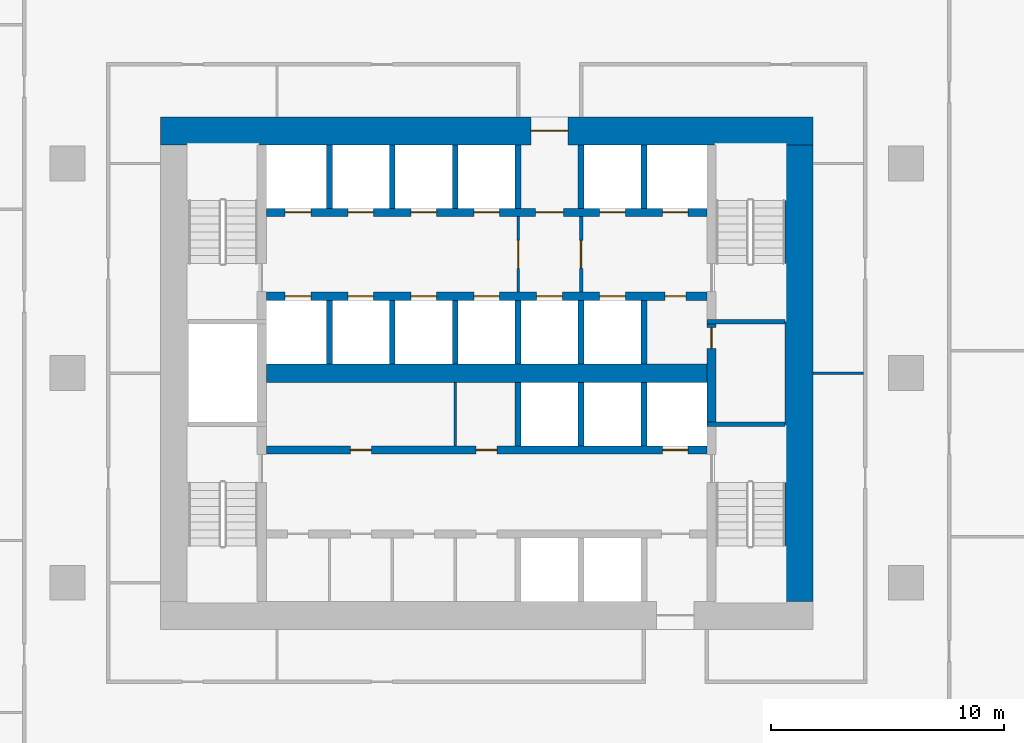
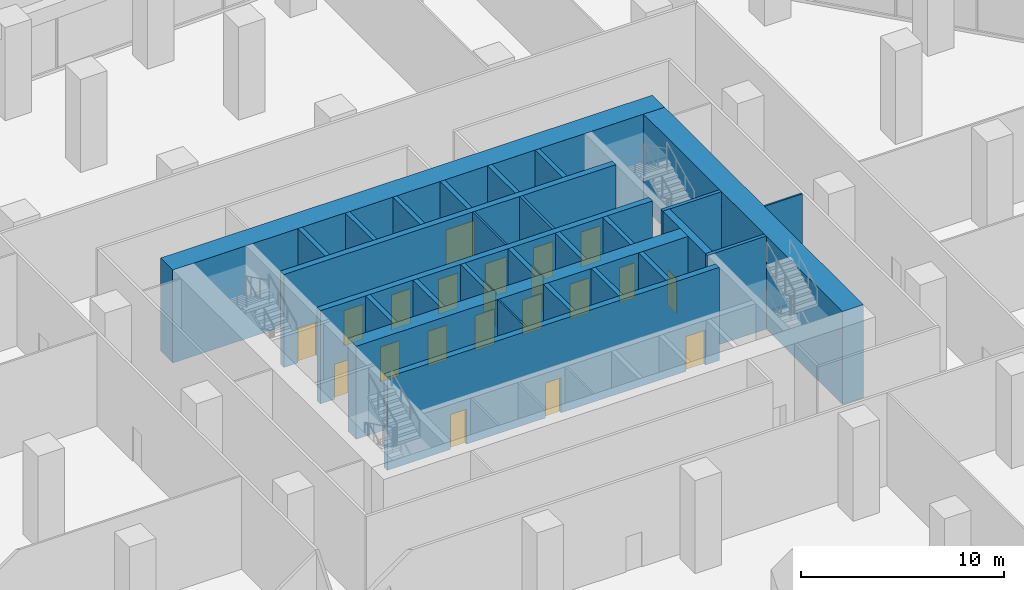
# One storey, part 12 of 19: 28 walls, 21 doors, 21 openings.
"""IFC4 building model written with IfcOpenShell, lengths in metres."""

from ifc_helpers import new_model, si_unit, direction, frame, frame_2d, origin, place, context, subcontext, project, spatial, rectangle, extrude, material, layer, layer_set, type_object, element, fill, save


model = new_model("IFC4")

# Units and contexts
model_context = context("Model", 3, precision=1e-05, world=origin(), true_north=direction((0.0, 1.0)))
body_context = subcontext(model_context, "Body", "Model", "MODEL_VIEW")
ifc_project = project(units=[si_unit("LENGTHUNIT", "METRE"), si_unit("AREAUNIT", "SQUARE_METRE"), si_unit("VOLUMEUNIT", "CUBIC_METRE"), si_unit("PLANEANGLEUNIT", "RADIAN"), si_unit("MASSUNIT", "GRAM", prefix="KILO")], contexts=[model_context])

# Site, building, storey
site_placement = place(None, origin())
site = spatial("IfcSite", under=ifc_project, at=site_placement, CompositionType="ELEMENT")
building_placement = place(site_placement, origin())
building = spatial("IfcBuilding", under=site, at=building_placement, Name="Dongbaek Canopy Tower", CompositionType="ELEMENT")
storey_placement = place(building_placement, frame((0.0, 0.0, 38.0)))
storey = spatial("IfcBuildingStorey", under=building, at=storey_placement, Name="L05", CompositionType="ELEMENT", Elevation=38.0)

# Wall
ifc_material_1 = material(Name="Concrete C60/75", Category="concrete")
ifc_layer_1 = layer(ifc_material_1, 0.800048828125)
ifc_layer_set_1 = layer_set([ifc_layer_1], Name="Core central wall 800 Concrete C60/75")
wall_type_1 = type_object("IfcWallType", Name="Core central wall 800 Concrete C60/75", PredefinedType="SHEAR", material=ifc_layer_set_1)
wall_1_placement = place(storey_placement, frame((-9.449951171875, 0.0, 0.0), z_axis=(0.0, 0.0, 1.0), x_axis=(1.0, 0.0, 0.0)))
element("IfcWall", 1, at=wall_1_placement, inside=storey, type_object=wall_type_1, Name="Core wall", PredefinedType="SHEAR", context=body_context, shape_type="SweptSolid", body=[
    extrude(rectangle(XDim=18.89990234375, YDim=0.800048828125, at=frame_2d((9.449951171875, 0.0))), origin(), (0.0, 0.0, 1.0), 5.60009765625),
])

# Wall, openings, doors
ifc_material_2 = material(Name="Concrete C60/75", Category="concrete")
ifc_layer_2 = layer(ifc_material_2, 0.35009765625)
ifc_layer_set_2 = layer_set([ifc_layer_2], Name="Core lobby wall 350 Concrete C60/75")
wall_type_2 = type_object("IfcWallType", Name="Core lobby wall 350 Concrete C60/75", PredefinedType="SHEAR", material=ifc_layer_set_2)
wall_2_placement = place(storey_placement, frame((-9.449951171875, 6.89990234375, 0.0), z_axis=(0.0, 0.0, 1.0), x_axis=(1.0, 0.0, 0.0)))
wall_2 = element("IfcWall", 2, at=wall_2_placement, inside=storey, type_object=wall_type_2, Name="Core wall", PredefinedType="SHEAR", context=body_context, shape_type="SweptSolid", body=[
    extrude(rectangle(XDim=18.89990234375, YDim=0.35009765625, at=frame_2d((9.449951171875, 0.0))), origin(), (0.0, 0.0, 1.0), 5.60009765625),
])
opening_1_placement = place(wall_2_placement, frame((0.800048828125, 0.0, 0.0)))
opening_1 = element("IfcOpeningElement", 3, at=opening_1_placement, cuts=wall_2, Name="Opening L05-D021", PredefinedType="OPENING", context=body_context, shape_type="SweptSolid", body=[
    extrude(rectangle(XDim=1.10009765625, YDim=2.10009765625, at=frame_2d((0.550048828125, 1.050048828125))), frame((0.0, 0.18505859375, 0.0), z_axis=(0.0, -1.0, 0.0), x_axis=(1.0, 0.0, 0.0)), (0.0, 0.0, 1.0), 0.3701171875),
])
opening_2_placement = place(wall_2_placement, frame((3.5, 0.0, 0.0)))
opening_2 = element("IfcOpeningElement", 4, at=opening_2_placement, cuts=wall_2, Name="Opening L05-D022", PredefinedType="OPENING", context=body_context, shape_type="SweptSolid", body=[
    extrude(rectangle(XDim=1.10009765625, YDim=2.10009765625, at=frame_2d((0.550048828125, 1.050048828125))), frame((0.0, 0.18505859375, 0.0), z_axis=(0.0, -1.0, 0.0), x_axis=(1.0, 0.0, 0.0)), (0.0, 0.0, 1.0), 0.3701171875),
])
opening_3_placement = place(wall_2_placement, frame((6.199951171875, 0.0, 0.0)))
opening_3 = element("IfcOpeningElement", 5, at=opening_3_placement, cuts=wall_2, Name="Opening L05-D023", PredefinedType="OPENING", context=body_context, shape_type="SweptSolid", body=[
    extrude(rectangle(XDim=1.10009765625, YDim=2.10009765625, at=frame_2d((0.550048828125, 1.050048828125))), frame((0.0, 0.18505859375, 0.0), z_axis=(0.0, -1.0, 0.0), x_axis=(1.0, 0.0, 0.0)), (0.0, 0.0, 1.0), 0.3701171875),
])
opening_4_placement = place(wall_2_placement, frame((8.89990234375, 0.0, 0.0)))
opening_4 = element("IfcOpeningElement", 6, at=opening_4_placement, cuts=wall_2, Name="Opening L05-D024", PredefinedType="OPENING", context=body_context, shape_type="SweptSolid", body=[
    extrude(rectangle(XDim=1.10009765625, YDim=2.10009765625, at=frame_2d((0.550048828125, 1.050048828125))), frame((0.0, 0.18505859375, 0.0), z_axis=(0.0, -1.0, 0.0), x_axis=(1.0, 0.0, 0.0)), (0.0, 0.0, 1.0), 0.3701171875),
])
opening_5_placement = place(wall_2_placement, frame((11.550048828125, 0.0, 0.0)))
opening_5 = element("IfcOpeningElement", 7, at=opening_5_placement, cuts=wall_2, Name="Opening L05-D026", PredefinedType="OPENING", context=body_context, shape_type="SweptSolid", body=[
    extrude(rectangle(XDim=1.199951171875, YDim=2.10009765625, at=frame_2d((0.60009765625, 1.050048828125))), frame((0.0, 0.18505859375, 0.0), z_axis=(0.0, -1.0, 0.0), x_axis=(1.0, 0.0, 0.0)), (0.0, 0.0, 1.0), 0.3701171875),
])
opening_6_placement = place(wall_2_placement, frame((14.300048828125, 0.0, 0.0)))
opening_6 = element("IfcOpeningElement", 8, at=opening_6_placement, cuts=wall_2, Name="Opening L05-D027", PredefinedType="OPENING", context=body_context, shape_type="SweptSolid", body=[
    extrude(rectangle(XDim=1.10009765625, YDim=2.10009765625, at=frame_2d((0.550048828125, 1.050048828125))), frame((0.0, 0.18505859375, 0.0), z_axis=(0.0, -1.0, 0.0), x_axis=(1.0, 0.0, 0.0)), (0.0, 0.0, 1.0), 0.3701171875),
])
opening_7_placement = place(wall_2_placement, frame((17.0, 0.0, 0.0)))
opening_7 = element("IfcOpeningElement", 9, at=opening_7_placement, cuts=wall_2, Name="Opening L05-D028", PredefinedType="OPENING", context=body_context, shape_type="SweptSolid", body=[
    extrude(rectangle(XDim=1.10009765625, YDim=2.10009765625, at=frame_2d((0.550048828125, 1.050048828125))), frame((0.0, 0.18505859375, 0.0), z_axis=(0.0, -1.0, 0.0), x_axis=(1.0, 0.0, 0.0)), (0.0, 0.0, 1.0), 0.3701171875),
])
ifc_material_3 = material(Name="Steel", Category="steel")
door_type_1 = type_object("IfcDoorType", Name="Fire lobby door 1200 x 2100", OperationType="SINGLE_SWING_LEFT", PredefinedType="DOOR", material=ifc_material_3)
door_1_placement = place(opening_5_placement, origin())
door_1 = element("IfcDoor", 10, at=door_1_placement, inside=storey, type_object=door_type_1, Name="Door L05-D026", OperationType="SINGLE_SWING_LEFT", OverallHeight=2.10009765625, OverallWidth=1.199951171875, PredefinedType="DOOR", context=body_context, shape_type="SweptSolid", body=[
    extrude(rectangle(XDim=1.199951171875, YDim=2.10009765625, at=frame_2d((0.60009765625, 1.050048828125))), frame((0.0, 0.02490234375, 0.0), z_axis=(0.0, -1.0, 0.0), x_axis=(1.0, 0.0, 0.0)), (0.0, 0.0, 1.0), 0.050048828125),
])
fill(opening_5, door_1)
ifc_material_4 = material(Name="Stainless steel", Category="steel")
door_type_2 = type_object("IfcDoorType", Name="Lift landing door 1100 x 2100", OperationType="DOUBLE_DOOR_SLIDING", PredefinedType="DOOR", material=ifc_material_4)
door_2_placement = place(opening_1_placement, origin())
door_2 = element("IfcDoor", 11, at=door_2_placement, inside=storey, type_object=door_type_2, Name="Landing door LR1", OperationType="DOUBLE_DOOR_SLIDING", OverallHeight=2.10009765625, OverallWidth=1.10009765625, PredefinedType="DOOR", context=body_context, shape_type="SweptSolid", body=[
    extrude(rectangle(XDim=1.10009765625, YDim=2.10009765625, at=frame_2d((0.550048828125, 1.050048828125))), frame((0.0, 0.02490234375, 0.0), z_axis=(0.0, -1.0, 0.0), x_axis=(1.0, 0.0, 0.0)), (0.0, 0.0, 1.0), 0.050048828125),
])
fill(opening_1, door_2)
door_3_placement = place(opening_2_placement, origin())
door_3 = element("IfcDoor", 12, at=door_3_placement, inside=storey, type_object=door_type_2, Name="Landing door LR2", OperationType="DOUBLE_DOOR_SLIDING", OverallHeight=2.10009765625, OverallWidth=1.10009765625, PredefinedType="DOOR", context=body_context, shape_type="SweptSolid", body=[
    extrude(rectangle(XDim=1.10009765625, YDim=2.10009765625, at=frame_2d((0.550048828125, 1.050048828125))), frame((0.0, 0.02490234375, 0.0), z_axis=(0.0, -1.0, 0.0), x_axis=(1.0, 0.0, 0.0)), (0.0, 0.0, 1.0), 0.050048828125),
])
fill(opening_2, door_3)
door_4_placement = place(opening_3_placement, origin())
door_4 = element("IfcDoor", 13, at=door_4_placement, inside=storey, type_object=door_type_2, Name="Landing door LR3", OperationType="DOUBLE_DOOR_SLIDING", OverallHeight=2.10009765625, OverallWidth=1.10009765625, PredefinedType="DOOR", context=body_context, shape_type="SweptSolid", body=[
    extrude(rectangle(XDim=1.10009765625, YDim=2.10009765625, at=frame_2d((0.550048828125, 1.050048828125))), frame((0.0, 0.02490234375, 0.0), z_axis=(0.0, -1.0, 0.0), x_axis=(1.0, 0.0, 0.0)), (0.0, 0.0, 1.0), 0.050048828125),
])
fill(opening_3, door_4)
door_5_placement = place(opening_4_placement, origin())
door_5 = element("IfcDoor", 14, at=door_5_placement, inside=storey, type_object=door_type_2, Name="Landing door LR4", OperationType="DOUBLE_DOOR_SLIDING", OverallHeight=2.10009765625, OverallWidth=1.10009765625, PredefinedType="DOOR", context=body_context, shape_type="SweptSolid", body=[
    extrude(rectangle(XDim=1.10009765625, YDim=2.10009765625, at=frame_2d((0.550048828125, 1.050048828125))), frame((0.0, 0.02490234375, 0.0), z_axis=(0.0, -1.0, 0.0), x_axis=(1.0, 0.0, 0.0)), (0.0, 0.0, 1.0), 0.050048828125),
])
fill(opening_4, door_5)
door_6_placement = place(opening_6_placement, origin())
door_6 = element("IfcDoor", 15, at=door_6_placement, inside=storey, type_object=door_type_2, Name="Landing door FF1", OperationType="DOUBLE_DOOR_SLIDING", OverallHeight=2.10009765625, OverallWidth=1.10009765625, PredefinedType="DOOR", context=body_context, shape_type="SweptSolid", body=[
    extrude(rectangle(XDim=1.10009765625, YDim=2.10009765625, at=frame_2d((0.550048828125, 1.050048828125))), frame((0.0, 0.02490234375, 0.0), z_axis=(0.0, -1.0, 0.0), x_axis=(1.0, 0.0, 0.0)), (0.0, 0.0, 1.0), 0.050048828125),
])
fill(opening_6, door_6)
door_7_placement = place(opening_7_placement, origin())
door_7 = element("IfcDoor", 16, at=door_7_placement, inside=storey, type_object=door_type_2, Name="Landing door FF2", OperationType="DOUBLE_DOOR_SLIDING", OverallHeight=2.10009765625, OverallWidth=1.10009765625, PredefinedType="DOOR", context=body_context, shape_type="SweptSolid", body=[
    extrude(rectangle(XDim=1.10009765625, YDim=2.10009765625, at=frame_2d((0.550048828125, 1.050048828125))), frame((0.0, 0.02490234375, 0.0), z_axis=(0.0, -1.0, 0.0), x_axis=(1.0, 0.0, 0.0)), (0.0, 0.0, 1.0), 0.050048828125),
])
fill(opening_7, door_7)

wall_3_placement = place(storey_placement, frame((9.449951171875, 3.300048828125, 0.0), z_axis=(0.0, 0.0, 1.0), x_axis=(-1.0, 0.0, 0.0)))
wall_3 = element("IfcWall", 17, at=wall_3_placement, inside=storey, type_object=wall_type_2, Name="Core wall", PredefinedType="SHEAR", context=body_context, shape_type="SweptSolid", body=[
    extrude(rectangle(XDim=18.89990234375, YDim=0.35009765625, at=frame_2d((9.449951171875, 0.0))), origin(), (0.0, 0.0, 1.0), 5.60009765625),
])
opening_8_placement = place(wall_3_placement, frame((17.0, 0.0, 0.0)))
opening_8 = element("IfcOpeningElement", 18, at=opening_8_placement, cuts=wall_3, Name="Opening L05-D029", PredefinedType="OPENING", context=body_context, shape_type="SweptSolid", body=[
    extrude(rectangle(XDim=1.10009765625, YDim=2.10009765625, at=frame_2d((0.550048828125, 1.050048828125))), frame((0.0, 0.18505859375, 0.0), z_axis=(0.0, -1.0, 0.0), x_axis=(1.0, 0.0, 0.0)), (0.0, 0.0, 1.0), 0.3701171875),
])
opening_9_placement = place(wall_3_placement, frame((14.300048828125, 0.0, 0.0)))
opening_9 = element("IfcOpeningElement", 19, at=opening_9_placement, cuts=wall_3, Name="Opening L05-D030", PredefinedType="OPENING", context=body_context, shape_type="SweptSolid", body=[
    extrude(rectangle(XDim=1.10009765625, YDim=2.10009765625, at=frame_2d((0.550048828125, 1.050048828125))), frame((0.0, 0.18505859375, 0.0), z_axis=(0.0, -1.0, 0.0), x_axis=(1.0, 0.0, 0.0)), (0.0, 0.0, 1.0), 0.3701171875),
])
opening_10_placement = place(wall_3_placement, frame((11.60009765625, 0.0, 0.0)))
opening_10 = element("IfcOpeningElement", 20, at=opening_10_placement, cuts=wall_3, Name="Opening L05-D031", PredefinedType="OPENING", context=body_context, shape_type="SweptSolid", body=[
    extrude(rectangle(XDim=1.10009765625, YDim=2.10009765625, at=frame_2d((0.550048828125, 1.050048828125))), frame((0.0, 0.18505859375, 0.0), z_axis=(0.0, -1.0, 0.0), x_axis=(1.0, 0.0, 0.0)), (0.0, 0.0, 1.0), 0.3701171875),
])
opening_11_placement = place(wall_3_placement, frame((8.89990234375, 0.0, 0.0)))
opening_11 = element("IfcOpeningElement", 21, at=opening_11_placement, cuts=wall_3, Name="Opening L05-D032", PredefinedType="OPENING", context=body_context, shape_type="SweptSolid", body=[
    extrude(rectangle(XDim=1.10009765625, YDim=2.10009765625, at=frame_2d((0.550048828125, 1.050048828125))), frame((0.0, 0.18505859375, 0.0), z_axis=(0.0, -1.0, 0.0), x_axis=(1.0, 0.0, 0.0)), (0.0, 0.0, 1.0), 0.3701171875),
])
opening_12_placement = place(wall_3_placement, frame((6.199951171875, 0.0, 0.0)))
opening_12 = element("IfcOpeningElement", 22, at=opening_12_placement, cuts=wall_3, Name="Opening L05-D033", PredefinedType="OPENING", context=body_context, shape_type="SweptSolid", body=[
    extrude(rectangle(XDim=1.10009765625, YDim=2.10009765625, at=frame_2d((0.550048828125, 1.050048828125))), frame((0.0, 0.18505859375, 0.0), z_axis=(0.0, -1.0, 0.0), x_axis=(1.0, 0.0, 0.0)), (0.0, 0.0, 1.0), 0.3701171875),
])
opening_13_placement = place(wall_3_placement, frame((3.5, 0.0, 0.0)))
opening_13 = element("IfcOpeningElement", 23, at=opening_13_placement, cuts=wall_3, Name="Opening L05-D034", PredefinedType="OPENING", context=body_context, shape_type="SweptSolid", body=[
    extrude(rectangle(XDim=1.10009765625, YDim=2.10009765625, at=frame_2d((0.550048828125, 1.050048828125))), frame((0.0, 0.18505859375, 0.0), z_axis=(0.0, -1.0, 0.0), x_axis=(1.0, 0.0, 0.0)), (0.0, 0.0, 1.0), 0.3701171875),
])
opening_14_placement = place(wall_3_placement, frame((0.89990234375, 0.0, 0.0)))
opening_14 = element("IfcOpeningElement", 24, at=opening_14_placement, cuts=wall_3, Name="Opening L05-D035", PredefinedType="OPENING", context=body_context, shape_type="SweptSolid", body=[
    extrude(rectangle(XDim=0.89990234375, YDim=2.10009765625, at=frame_2d((0.449951171875, 1.050048828125))), frame((0.0, 0.18505859375, 0.0), z_axis=(0.0, -1.0, 0.0), x_axis=(1.0, 0.0, 0.0)), (0.0, 0.0, 1.0), 0.3701171875),
])
ifc_material_5 = material(Name="Steel", Category="steel")
door_type_3 = type_object("IfcDoorType", Name="Core room door 900 x 2100", OperationType="SINGLE_SWING_LEFT", PredefinedType="DOOR", material=ifc_material_5)
door_8_placement = place(opening_14_placement, origin())
door_8 = element("IfcDoor", 25, at=door_8_placement, inside=storey, type_object=door_type_3, Name="Door L05-D035", OperationType="SINGLE_SWING_LEFT", OverallHeight=2.10009765625, OverallWidth=0.89990234375, PredefinedType="DOOR", context=body_context, shape_type="SweptSolid", body=[
    extrude(rectangle(XDim=0.89990234375, YDim=2.10009765625, at=frame_2d((0.449951171875, 1.050048828125))), frame((0.0, 0.02490234375, 0.0), z_axis=(0.0, -1.0, 0.0), x_axis=(1.0, 0.0, 0.0)), (0.0, 0.0, 1.0), 0.050048828125),
])
fill(opening_14, door_8)
door_9_placement = place(opening_8_placement, origin())
door_9 = element("IfcDoor", 26, at=door_9_placement, inside=storey, type_object=door_type_2, Name="Landing door LR5", OperationType="DOUBLE_DOOR_SLIDING", OverallHeight=2.10009765625, OverallWidth=1.10009765625, PredefinedType="DOOR", context=body_context, shape_type="SweptSolid", body=[
    extrude(rectangle(XDim=1.10009765625, YDim=2.10009765625, at=frame_2d((0.550048828125, 1.050048828125))), frame((0.0, 0.02490234375, 0.0), z_axis=(0.0, -1.0, 0.0), x_axis=(1.0, 0.0, 0.0)), (0.0, 0.0, 1.0), 0.050048828125),
])
fill(opening_8, door_9)
door_10_placement = place(opening_9_placement, origin())
door_10 = element("IfcDoor", 27, at=door_10_placement, inside=storey, type_object=door_type_2, Name="Landing door LR6", OperationType="DOUBLE_DOOR_SLIDING", OverallHeight=2.10009765625, OverallWidth=1.10009765625, PredefinedType="DOOR", context=body_context, shape_type="SweptSolid", body=[
    extrude(rectangle(XDim=1.10009765625, YDim=2.10009765625, at=frame_2d((0.550048828125, 1.050048828125))), frame((0.0, 0.02490234375, 0.0), z_axis=(0.0, -1.0, 0.0), x_axis=(1.0, 0.0, 0.0)), (0.0, 0.0, 1.0), 0.050048828125),
])
fill(opening_9, door_10)
door_11_placement = place(opening_10_placement, origin())
door_11 = element("IfcDoor", 28, at=door_11_placement, inside=storey, type_object=door_type_2, Name="Landing door LR7", OperationType="DOUBLE_DOOR_SLIDING", OverallHeight=2.10009765625, OverallWidth=1.10009765625, PredefinedType="DOOR", context=body_context, shape_type="SweptSolid", body=[
    extrude(rectangle(XDim=1.10009765625, YDim=2.10009765625, at=frame_2d((0.550048828125, 1.050048828125))), frame((0.0, 0.02490234375, 0.0), z_axis=(0.0, -1.0, 0.0), x_axis=(1.0, 0.0, 0.0)), (0.0, 0.0, 1.0), 0.050048828125),
])
fill(opening_10, door_11)
door_12_placement = place(opening_11_placement, origin())
door_12 = element("IfcDoor", 29, at=door_12_placement, inside=storey, type_object=door_type_2, Name="Landing door LR8", OperationType="DOUBLE_DOOR_SLIDING", OverallHeight=2.10009765625, OverallWidth=1.10009765625, PredefinedType="DOOR", context=body_context, shape_type="SweptSolid", body=[
    extrude(rectangle(XDim=1.10009765625, YDim=2.10009765625, at=frame_2d((0.550048828125, 1.050048828125))), frame((0.0, 0.02490234375, 0.0), z_axis=(0.0, -1.0, 0.0), x_axis=(1.0, 0.0, 0.0)), (0.0, 0.0, 1.0), 0.050048828125),
])
fill(opening_11, door_12)
door_13_placement = place(opening_12_placement, origin())
door_13 = element("IfcDoor", 30, at=door_13_placement, inside=storey, type_object=door_type_2, Name="Landing door SV1", OperationType="DOUBLE_DOOR_SLIDING", OverallHeight=2.10009765625, OverallWidth=1.10009765625, PredefinedType="DOOR", context=body_context, shape_type="SweptSolid", body=[
    extrude(rectangle(XDim=1.10009765625, YDim=2.10009765625, at=frame_2d((0.550048828125, 1.050048828125))), frame((0.0, 0.02490234375, 0.0), z_axis=(0.0, -1.0, 0.0), x_axis=(1.0, 0.0, 0.0)), (0.0, 0.0, 1.0), 0.050048828125),
])
fill(opening_12, door_13)
door_14_placement = place(opening_13_placement, origin())
door_14 = element("IfcDoor", 31, at=door_14_placement, inside=storey, type_object=door_type_2, Name="Landing door FF3", OperationType="DOUBLE_DOOR_SLIDING", OverallHeight=2.10009765625, OverallWidth=1.10009765625, PredefinedType="DOOR", context=body_context, shape_type="SweptSolid", body=[
    extrude(rectangle(XDim=1.10009765625, YDim=2.10009765625, at=frame_2d((0.550048828125, 1.050048828125))), frame((0.0, 0.02490234375, 0.0), z_axis=(0.0, -1.0, 0.0), x_axis=(1.0, 0.0, 0.0)), (0.0, 0.0, 1.0), 0.050048828125),
])
fill(opening_13, door_14)

wall_4_placement = place(storey_placement, frame((-9.449951171875, -3.300048828125, 0.0), z_axis=(0.0, 0.0, 1.0), x_axis=(1.0, 0.0, 0.0)))
wall_4 = element("IfcWall", 32, at=wall_4_placement, inside=storey, type_object=wall_type_2, Name="Core wall", PredefinedType="SHEAR", context=body_context, shape_type="SweptSolid", body=[
    extrude(rectangle(XDim=18.89990234375, YDim=0.35009765625, at=frame_2d((9.449951171875, 0.0))), origin(), (0.0, 0.0, 1.0), 5.60009765625),
])
opening_15_placement = place(wall_4_placement, frame((17.0, 0.0, 0.0)))
opening_15 = element("IfcOpeningElement", 33, at=opening_15_placement, cuts=wall_4, Name="Opening L05-D036", PredefinedType="OPENING", context=body_context, shape_type="SweptSolid", body=[
    extrude(rectangle(XDim=1.10009765625, YDim=2.10009765625, at=frame_2d((0.550048828125, 1.050048828125))), frame((0.0, 0.18505859375, 0.0), z_axis=(0.0, -1.0, 0.0), x_axis=(1.0, 0.0, 0.0)), (0.0, 0.0, 1.0), 0.3701171875),
])
opening_16_placement = place(wall_4_placement, frame((3.60009765625, 0.0, 0.0)))
opening_16 = element("IfcOpeningElement", 34, at=opening_16_placement, cuts=wall_4, Name="Opening L05-D039", PredefinedType="OPENING", context=body_context, shape_type="SweptSolid", body=[
    extrude(rectangle(XDim=0.89990234375, YDim=2.10009765625, at=frame_2d((0.449951171875, 1.050048828125))), frame((0.0, 0.18505859375, 0.0), z_axis=(0.0, -1.0, 0.0), x_axis=(1.0, 0.0, 0.0)), (0.0, 0.0, 1.0), 0.3701171875),
])
opening_17_placement = place(wall_4_placement, frame((9.0, 0.0, 0.0)))
opening_17 = element("IfcOpeningElement", 35, at=opening_17_placement, cuts=wall_4, Name="Opening L05-D040", PredefinedType="OPENING", context=body_context, shape_type="SweptSolid", body=[
    extrude(rectangle(XDim=0.89990234375, YDim=2.10009765625, at=frame_2d((0.449951171875, 1.050048828125))), frame((0.0, 0.18505859375, 0.0), z_axis=(0.0, -1.0, 0.0), x_axis=(1.0, 0.0, 0.0)), (0.0, 0.0, 1.0), 0.3701171875),
])
door_15_placement = place(opening_16_placement, origin())
door_15 = element("IfcDoor", 36, at=door_15_placement, inside=storey, type_object=door_type_3, Name="Door L05-D039", OperationType="SINGLE_SWING_RIGHT", OverallHeight=2.10009765625, OverallWidth=0.89990234375, PredefinedType="DOOR", context=body_context, shape_type="SweptSolid", body=[
    extrude(rectangle(XDim=0.89990234375, YDim=2.10009765625, at=frame_2d((0.449951171875, 1.050048828125))), frame((0.0, 0.02490234375, 0.0), z_axis=(0.0, -1.0, 0.0), x_axis=(1.0, 0.0, 0.0)), (0.0, 0.0, 1.0), 0.050048828125),
])
fill(opening_16, door_15)
door_16_placement = place(opening_17_placement, origin())
door_16 = element("IfcDoor", 37, at=door_16_placement, inside=storey, type_object=door_type_3, Name="Door L05-D040", OperationType="SINGLE_SWING_LEFT", OverallHeight=2.10009765625, OverallWidth=0.89990234375, PredefinedType="DOOR", context=body_context, shape_type="SweptSolid", body=[
    extrude(rectangle(XDim=0.89990234375, YDim=2.10009765625, at=frame_2d((0.449951171875, 1.050048828125))), frame((0.0, 0.02490234375, 0.0), z_axis=(0.0, -1.0, 0.0), x_axis=(1.0, 0.0, 0.0)), (0.0, 0.0, 1.0), 0.050048828125),
])
fill(opening_17, door_16)
door_17_placement = place(opening_15_placement, origin())
door_17 = element("IfcDoor", 38, at=door_17_placement, inside=storey, type_object=door_type_2, Name="Landing door SV2", OperationType="DOUBLE_DOOR_SLIDING", OverallHeight=2.10009765625, OverallWidth=1.10009765625, PredefinedType="DOOR", context=body_context, shape_type="SweptSolid", body=[
    extrude(rectangle(XDim=1.10009765625, YDim=2.10009765625, at=frame_2d((0.550048828125, 1.050048828125))), frame((0.0, 0.02490234375, 0.0), z_axis=(0.0, -1.0, 0.0), x_axis=(1.0, 0.0, 0.0)), (0.0, 0.0, 1.0), 0.050048828125),
])
fill(opening_15, door_17)

# Wall, opening, door
ifc_material_6 = material(Name="Concrete C60/75", Category="concrete")
ifc_layer_3 = layer(ifc_material_6, 1.199951171875)
ifc_layer_set_3 = layer_set([ifc_layer_3], Name="Core outer wall 1200 Concrete C60/75")
wall_type_3 = type_object("IfcWallType", Name="Core outer wall 1200 Concrete C60/75", PredefinedType="SHEAR", material=ifc_layer_set_3)
wall_5_placement = place(storey_placement, frame((-14.0, 10.39990234375, 0.0), z_axis=(0.0, 0.0, 1.0), x_axis=(1.0, 0.0, 0.0)))
wall_5 = element("IfcWall", 39, at=wall_5_placement, inside=storey, type_object=wall_type_3, Name="Core wall", PredefinedType="SHEAR", context=body_context, shape_type="SweptSolid", body=[
    extrude(rectangle(XDim=28.0, YDim=1.199951171875, at=frame_2d((14.0, 0.0))), origin(), (0.0, 0.0, 1.0), 5.60009765625),
])
opening_18_placement = place(wall_5_placement, frame((15.89990234375, 0.0, 0.0)))
opening_18 = element("IfcOpeningElement", 40, at=opening_18_placement, cuts=wall_5, Name="Opening L05-D025", PredefinedType="OPENING", context=body_context, shape_type="SweptSolid", body=[
    extrude(rectangle(XDim=1.60009765625, YDim=2.10009765625, at=frame_2d((0.800048828125, 1.050048828125))), frame((0.0, 0.60986328125, 0.0), z_axis=(0.0, -1.0, 0.0), x_axis=(1.0, 0.0, 0.0)), (0.0, 0.0, 1.0), 1.219970703125),
])
ifc_material_7 = material(Name="Steel", Category="steel")
door_type_4 = type_object("IfcDoorType", Name="Core exit door 1600 x 2100", OperationType="DOUBLE_DOOR_SINGLE_SWING", PredefinedType="DOOR", material=ifc_material_7)
door_18_placement = place(opening_18_placement, origin())
door_18 = element("IfcDoor", 41, at=door_18_placement, inside=storey, type_object=door_type_4, Name="Core exit door", OperationType="DOUBLE_DOOR_SINGLE_SWING", OverallHeight=2.10009765625, OverallWidth=1.60009765625, PredefinedType="DOOR", context=body_context, shape_type="SweptSolid", body=[
    extrude(rectangle(XDim=1.60009765625, YDim=2.10009765625, at=frame_2d((0.800048828125, 1.050048828125))), frame((0.0, 0.02490234375, 0.0), z_axis=(0.0, -1.0, 0.0), x_axis=(1.0, 0.0, 0.0)), (0.0, 0.0, 1.0), 0.050048828125),
])
fill(opening_18, door_18)

# Wall
wall_6_placement = place(storey_placement, frame((13.39990234375, 9.800048828125, 0.0), z_axis=(0.0, 0.0, 1.0), x_axis=(0.0, -1.0, 0.0)))
element("IfcWall", 42, at=wall_6_placement, inside=storey, type_object=wall_type_3, Name="Core wall", PredefinedType="SHEAR", context=body_context, shape_type="SweptSolid", body=[
    extrude(rectangle(XDim=19.60009765625, YDim=1.199951171875, at=frame_2d((9.800048828125, 0.0))), origin(), (0.0, 0.0, 1.0), 5.60009765625),
])

# Wall, opening, door
ifc_material_8 = material(Name="Gypsum board partition, steel stud, 2 x 15 mm fire board", Category="steel")
ifc_layer_4 = layer(ifc_material_8, 0.14990234375)
ifc_layer_set_4 = layer_set([ifc_layer_4], Name="Fire-rated partition 150 gypsum board")
wall_type_4 = type_object("IfcWallType", Name="Fire-rated partition 150 gypsum board", PredefinedType="PARTITIONING", material=ifc_layer_set_4)
wall_7_placement = place(storey_placement, frame((4.050048828125, 6.72509765625, 0.0), z_axis=(0.0, 0.0, 1.0), x_axis=(0.0, -1.0, 0.0)))
wall_7 = element("IfcWall", 43, at=wall_7_placement, inside=storey, type_object=wall_type_4, Name="Fire lobby partition", PredefinedType="PARTITIONING", context=body_context, shape_type="SweptSolid", body=[
    extrude(rectangle(XDim=3.25, YDim=0.14990234375, at=frame_2d((1.625, 0.0))), origin(), (0.0, 0.0, 1.0), 5.60009765625),
])
opening_19_placement = place(wall_7_placement, frame((1.02490234375, 0.0, 0.0)))
opening_19 = element("IfcOpeningElement", 44, at=opening_19_placement, cuts=wall_7, Name="Opening L05-D050", PredefinedType="OPENING", context=body_context, shape_type="SweptSolid", body=[
    extrude(rectangle(XDim=1.199951171875, YDim=2.10009765625, at=frame_2d((0.60009765625, 1.050048828125))), frame((0.0, 0.0849609375, 0.0), z_axis=(0.0, -1.0, 0.0), x_axis=(1.0, 0.0, 0.0)), (0.0, 0.0, 1.0), 0.169921875),
])
door_19_placement = place(opening_19_placement, origin())
door_19 = element("IfcDoor", 45, at=door_19_placement, inside=storey, type_object=door_type_1, Name="Door L05-D050", OperationType="SINGLE_SWING_RIGHT", OverallHeight=2.10009765625, OverallWidth=1.199951171875, PredefinedType="DOOR", context=body_context, shape_type="SweptSolid", body=[
    extrude(rectangle(XDim=1.199951171875, YDim=2.10009765625, at=frame_2d((0.60009765625, 1.050048828125))), frame((0.0, 0.02490234375, 0.0), z_axis=(0.0, -1.0, 0.0), x_axis=(1.0, 0.0, 0.0)), (0.0, 0.0, 1.0), 0.050048828125),
])
fill(opening_19, door_19)

# Walls
ifc_material_9 = material(Name="Concrete C40/50", Category="concrete")
ifc_layer_5 = layer(ifc_material_9, 0.25)
ifc_layer_set_5 = layer_set([ifc_layer_5], Name="Lift shaft wall 250 Concrete C40/50")
wall_type_5 = type_object("IfcWallType", Name="Lift shaft wall 250 Concrete C40/50", PredefinedType="SOLIDWALL", material=ifc_layer_set_5)
for number, where, z_axis, x_axis, name in (
    (46, (6.75, -3.125, 0.0), (0.0, 0.0, 1.0), (0.0, 1.0, 0.0), "Lift shaft wall"),
    (47, (6.75, 0.39990234375, 0.0), (0.0, 0.0, 1.0), (0.0, 1.0, 0.0), "Lift shaft wall"),
    (48, (6.75, 7.074951171875, 0.0), (0.0, 0.0, 1.0), (0.0, 1.0, 0.0), "Lift shaft wall"),
    (49, (4.050048828125, -3.125, 0.0), (0.0, 0.0, 1.0), (0.0, 1.0, 0.0), "Lift shaft wall"),
    (50, (4.050048828125, 0.39990234375, 0.0), (0.0, 0.0, 1.0), (0.0, 1.0, 0.0), "Lift shaft wall"),
    (51, (4.050048828125, 7.074951171875, 0.0), (0.0, 0.0, 1.0), (0.0, 1.0, 0.0), "Lift shaft wall"),
    (52, (1.35009765625, -3.125, 0.0), (0.0, 0.0, 1.0), (0.0, 1.0, 0.0), "Lift shaft wall"),
    (53, (1.35009765625, 0.39990234375, 0.0), (0.0, 0.0, 1.0), (0.0, 1.0, 0.0), "Lift shaft wall"),
    (54, (1.35009765625, 7.074951171875, 0.0), (0.0, 0.0, 1.0), (0.0, 1.0, 0.0), "Lift shaft wall"),
    (55, (-1.35009765625, 0.39990234375, 0.0), (0.0, 0.0, 1.0), (0.0, 1.0, 0.0), "Lift shaft wall"),
    (56, (-1.35009765625, 7.074951171875, 0.0), (0.0, 0.0, 1.0), (0.0, 1.0, 0.0), "Lift shaft wall"),
    (57, (-4.050048828125, 0.39990234375, 0.0), (0.0, 0.0, 1.0), (0.0, 1.0, 0.0), "Lift shaft wall"),
    (58, (-4.050048828125, 7.074951171875, 0.0), (0.0, 0.0, 1.0), (0.0, 1.0, 0.0), "Lift shaft wall"),
    (59, (-6.75, 0.39990234375, 0.0), (0.0, 0.0, 1.0), (0.0, 1.0, 0.0), "Lift shaft wall"),
    (60, (-6.75, 7.074951171875, 0.0), (0.0, 0.0, 1.0), (0.0, 1.0, 0.0), "Lift shaft wall"),
):
    element("IfcWall", number, at=place(storey_placement, frame(where, z_axis=z_axis, x_axis=x_axis)), inside=storey, type_object=wall_type_5, Name=name, PredefinedType="SOLIDWALL", context=body_context, shape_type="SweptSolid", body=[
        extrude(rectangle(XDim=2.72509765625, YDim=0.25, at=frame_2d((1.362548828125, 0.0))), origin(), (0.0, 0.0, 1.0), 5.60009765625),
    ])
ifc_material_10 = material(Name="Gypsum board partition, steel stud, 2 x 12.5 mm board", Category="steel")
ifc_layer_6 = layer(ifc_material_10, 0.10009765625)
ifc_layer_set_6 = layer_set([ifc_layer_6], Name="Partition 100 gypsum board")
wall_type_6 = type_object("IfcWallType", Name="Partition 100 gypsum board", PredefinedType="PARTITIONING", material=ifc_layer_set_6)
wall_8_placement = place(storey_placement, frame((14.0, 0.0, 0.0), z_axis=(0.0, 0.0, 1.0), x_axis=(1.0, 0.0, 0.0)))
element("IfcWall", 61, at=wall_8_placement, inside=storey, type_object=wall_type_6, Name="Partition", PredefinedType="PARTITIONING", context=body_context, shape_type="SweptSolid", body=[
    extrude(rectangle(XDim=2.175048828125, YDim=0.10009765625, at=frame_2d((1.08740234375, 0.0))), origin(), (0.0, 0.0, 1.0), 5.60009765625),
])

# Wall, opening, door
wall_9_placement = place(storey_placement, frame((1.35009765625, 6.72509765625, 0.0), z_axis=(0.0, 0.0, 1.0), x_axis=(0.0, -1.0, 0.0)))
wall_9 = element("IfcWall", 62, at=wall_9_placement, inside=storey, type_object=wall_type_6, Name="Core partition", PredefinedType="PARTITIONING", context=body_context, shape_type="SweptSolid", body=[
    extrude(rectangle(XDim=3.25, YDim=0.10009765625, at=frame_2d((1.625, 0.0))), origin(), (0.0, 0.0, 1.0), 5.60009765625),
])
opening_20_placement = place(wall_9_placement, frame((1.02490234375, 0.0, 0.0)))
opening_20 = element("IfcOpeningElement", 63, at=opening_20_placement, cuts=wall_9, Name="Opening L05-D049", PredefinedType="OPENING", context=body_context, shape_type="SweptSolid", body=[
    extrude(rectangle(XDim=1.199951171875, YDim=2.10009765625, at=frame_2d((0.60009765625, 1.050048828125))), frame((0.0, 0.06005859375, 0.0), z_axis=(0.0, -1.0, 0.0), x_axis=(1.0, 0.0, 0.0)), (0.0, 0.0, 1.0), 0.1201171875),
])
door_20_placement = place(opening_20_placement, origin())
door_20 = element("IfcDoor", 64, at=door_20_placement, inside=storey, type_object=door_type_1, Name="Door L05-D049", OperationType="SINGLE_SWING_LEFT", OverallHeight=2.10009765625, OverallWidth=1.199951171875, PredefinedType="DOOR", context=body_context, shape_type="SweptSolid", body=[
    extrude(rectangle(XDim=1.199951171875, YDim=2.10009765625, at=frame_2d((0.60009765625, 1.050048828125))), frame((0.0, 0.02490234375, 0.0), z_axis=(0.0, -1.0, 0.0), x_axis=(1.0, 0.0, 0.0)), (0.0, 0.0, 1.0), 0.050048828125),
])
fill(opening_20, door_20)

# Walls
wall_10_placement = place(storey_placement, frame((-1.35009765625, -3.125, 0.0), z_axis=(0.0, 0.0, 1.0), x_axis=(0.0, 1.0, 0.0)))
element("IfcWall", 65, at=wall_10_placement, inside=storey, type_object=wall_type_6, Name="Core partition", PredefinedType="PARTITIONING", context=body_context, shape_type="SweptSolid", body=[
    extrude(rectangle(XDim=2.72509765625, YDim=0.10009765625, at=frame_2d((1.362548828125, 0.0))), origin(), (0.0, 0.0, 1.0), 5.60009765625),
])
ifc_material_11 = material(Name="Concrete C60/75", Category="concrete")
ifc_layer_7 = layer(ifc_material_11, 0.199951171875)
ifc_layer_set_7 = layer_set([ifc_layer_7], Name="Riser wall 200 Concrete C60/75")
wall_type_7 = type_object("IfcWallType", Name="Riser wall 200 Concrete C60/75", PredefinedType="SHEAR", material=ifc_layer_set_7)
for number, where, z_axis, x_axis, name in (
    (66, (9.449951171875, 2.199951171875, 0.0), (0.0, 0.0, 1.0), (1.0, 0.0, 0.0), "Riser wall"),
    (67, (9.449951171875, -2.199951171875, 0.0), (0.0, 0.0, 1.0), (1.0, 0.0, 0.0), "Riser wall"),
):
    element("IfcWall", number, at=place(storey_placement, frame(where, z_axis=z_axis, x_axis=x_axis)), inside=storey, type_object=wall_type_7, Name=name, PredefinedType="SHEAR", context=body_context, shape_type="SweptSolid", body=[
        extrude(rectangle(XDim=3.35009765625, YDim=0.199951171875, at=frame_2d((1.675048828125, 0.0))), origin(), (0.0, 0.0, 1.0), 5.60009765625),
    ])

# Wall, opening, door
ifc_material_12 = material(Name="Concrete C60/75", Category="concrete")
ifc_layer_8 = layer(ifc_material_12, 0.39990234375)
ifc_layer_set_8 = layer_set([ifc_layer_8], Name="Stair wall 400 Concrete C60/75")
wall_type_8 = type_object("IfcWallType", Name="Stair wall 400 Concrete C60/75", PredefinedType="SHEAR", material=ifc_layer_set_8)
wall_11_placement = place(storey_placement, frame((9.64990234375, 2.10009765625, 0.0), z_axis=(0.0, 0.0, 1.0), x_axis=(0.0, -1.0, 0.0)))
wall_11 = element("IfcWall", 68, at=wall_11_placement, inside=storey, type_object=wall_type_8, Name="Stair wall", PredefinedType="SHEAR", context=body_context, shape_type="SweptSolid", body=[
    extrude(rectangle(XDim=4.2001953125, YDim=0.39990234375, at=frame_2d((2.10009765625, 0.0))), origin(), (0.0, 0.0, 1.0), 5.60009765625),
])
opening_21_placement = place(wall_11_placement, frame((0.14990234375, 0.0, 0.0)))
opening_21 = element("IfcOpeningElement", 69, at=opening_21_placement, cuts=wall_11, Name="Opening L05-D020", PredefinedType="OPENING", context=body_context, shape_type="SweptSolid", body=[
    extrude(rectangle(XDim=0.89990234375, YDim=2.10009765625, at=frame_2d((0.449951171875, 1.050048828125))), frame((0.0, 0.2099609375, 0.0), z_axis=(0.0, -1.0, 0.0), x_axis=(1.0, 0.0, 0.0)), (0.0, 0.0, 1.0), 0.419921875),
])
door_21_placement = place(opening_21_placement, origin())
door_21 = element("IfcDoor", 70, at=door_21_placement, inside=storey, type_object=door_type_3, Name="Door L05-D020", OperationType="SINGLE_SWING_RIGHT", OverallHeight=2.10009765625, OverallWidth=0.89990234375, PredefinedType="DOOR", context=body_context, shape_type="SweptSolid", body=[
    extrude(rectangle(XDim=0.89990234375, YDim=2.10009765625, at=frame_2d((0.449951171875, 1.050048828125))), frame((0.0, 0.02490234375, 0.0), z_axis=(0.0, -1.0, 0.0), x_axis=(1.0, 0.0, 0.0)), (0.0, 0.0, 1.0), 0.050048828125),
])
fill(opening_21, door_21)

save(model, "model.ifc")
